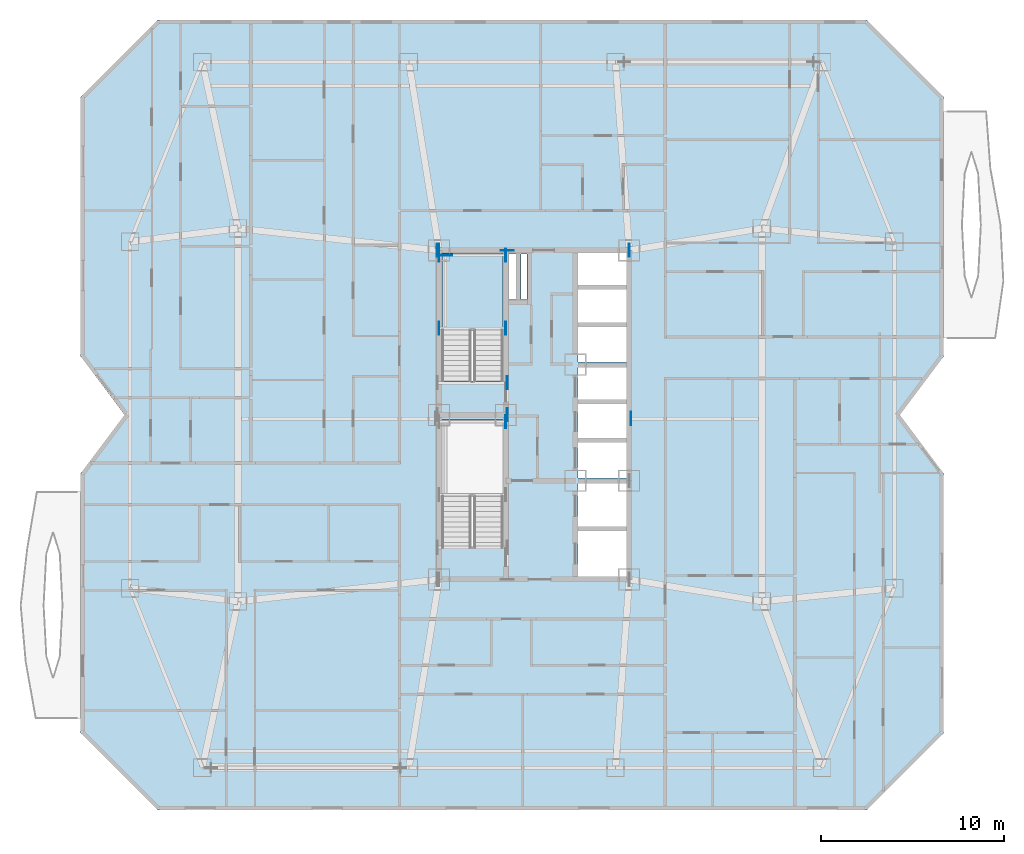
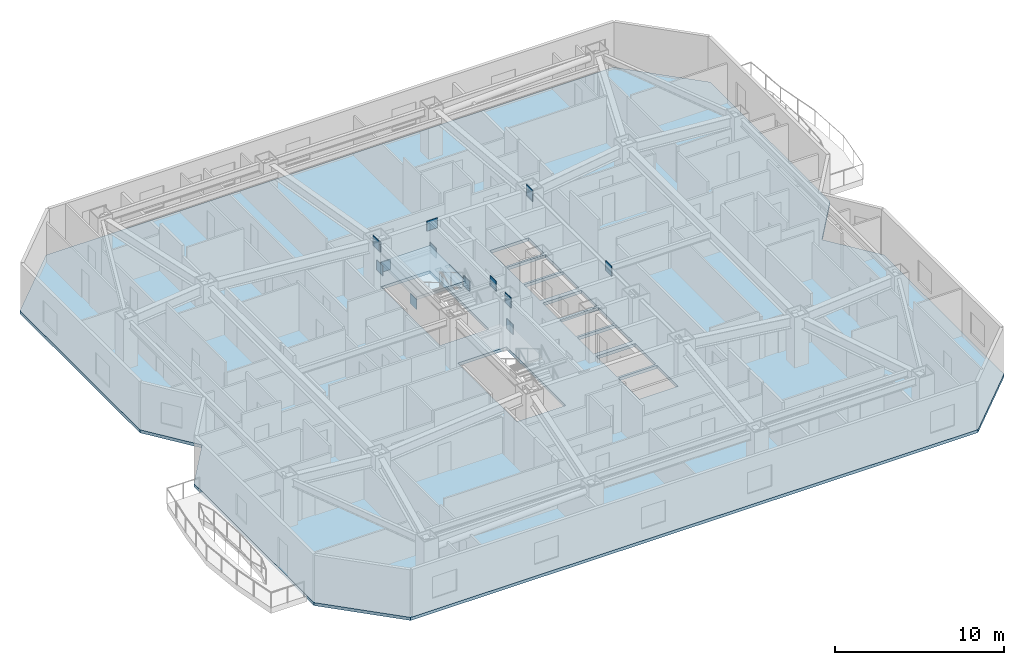
# One storey, part 3 of 15: 14 plates, 2 slabs, 1 element without a shape of its own.
"""IFC4 building model written with IfcOpenShell, lengths in metres."""

from ifc_helpers import new_model, si_unit, direction, frame, origin, origin_2d, place, context, subcontext, project, spatial, polyline, rectangle, outline, extrude, material, layer, layer_set, type_object, element, aggregate, save


model = new_model("IFC4")

# Units and contexts
model_context = context("Model", 3, precision=1e-05, world=origin(), true_north=direction((0.0, 1.0)))
body_context = subcontext(model_context, "Body", "Model", "MODEL_VIEW")
ifc_project = project(units=[si_unit("LENGTHUNIT", "METRE"), si_unit("AREAUNIT", "SQUARE_METRE"), si_unit("VOLUMEUNIT", "CUBIC_METRE"), si_unit("PLANEANGLEUNIT", "RADIAN"), si_unit("MASSUNIT", "GRAM", prefix="KILO")], contexts=[model_context])

# Site, building, storey
site_placement = place(None, origin())
site = spatial("IfcSite", under=ifc_project, at=site_placement, CompositionType="ELEMENT")
building_placement = place(site_placement, origin())
building = spatial("IfcBuilding", under=site, at=building_placement, Name="Khamvora Tower", CompositionType="ELEMENT")
storey_placement = place(building_placement, frame((0.0, 0.0, 112.85009765625)))
storey = spatial("IfcBuildingStorey", under=building, at=storey_placement, Name="L28", CompositionType="ELEMENT", Elevation=112.85009765625)

# Plates
ifc_material_1 = material(Name="Steel S460", Category="steel")
ifc_layer_1 = layer(ifc_material_1, 0.034912109375)
ifc_layer_set_1 = layer_set([ifc_layer_1], Name="Steel S460")
plate_type = type_object("IfcPlateType", Name="PL-EMB-35", PredefinedType="SHEET", material=ifc_layer_set_1)
for number, where, z_axis, x_axis, name in (
    (1, (32.64990234375, 27.6298828125, 1.1337890625), (0.0, 0.0, 1.0), (1.0, 0.0, 0.0), "L28 core shear wall cast-in embed plate 0827"),
    (2, (29.0, 32.735107421875, 1.1337890625), (0.0, 0.0, 1.0), (1.0, 0.0, 0.0), "L28 core shear wall cast-in embed plate 0828"),
    (3, (32.64990234375, 32.735107421875, 1.1337890625), (0.0, 0.0, 1.0), (1.0, 0.0, 0.0), "L28 core shear wall cast-in embed plate 0829"),
    (4, (29.0, 36.72998046875, 1.1337890625), (0.0, 0.0, 1.0), (1.0, 0.0, 0.0), "L28 core shear wall cast-in embed plate 0830"),
    (5, (32.64990234375, 36.72998046875, 1.1337890625), (0.0, 0.0, 1.0), (1.0, 0.0, 0.0), "L28 core shear wall cast-in embed plate 0831"),
):
    element("IfcPlate", number, at=place(storey_placement, frame(where, z_axis=z_axis, x_axis=x_axis)), inside=storey, type_object=plate_type, Name=name, PredefinedType="SHEET", context=body_context, shape_type="SweptSolid", body=[
        extrude(rectangle(XDim=0.034912109375, YDim=0.719970703125, at=origin_2d()), origin(), (0.0, 0.0, 1.0), 0.719970703125),
    ])
plate_1_placement = place(storey_placement, frame((29.35009765625, 36.72998046875, 1.1337890625), z_axis=(0.0, 0.0, 1.0), x_axis=(1.0, 0.0, 0.0)))
element("IfcPlate", 6, at=plate_1_placement, inside=storey, type_object=plate_type, Name="L28 core shear wall cast-in embed plate 0832", PredefinedType="SHEET", context=body_context, shape_type="SweptSolid", body=[
    extrude(rectangle(XDim=0.719970703125, YDim=0.034912109375, at=origin_2d()), origin(), (0.0, 0.0, 1.0), 0.719970703125),
])
for number, where, z_axis, x_axis, name in (
    (7, (29.0, 37.0, 2.68408203125), (0.0, 0.0, 1.0), (1.0, 0.0, 0.0), "L28 core shear wall cast-in embed plate 0835"),
    (8, (39.39990234375, 37.0, 2.68408203125), (0.0, 0.0, 1.0), (1.0, 0.0, 0.0), "L28 core shear wall cast-in embed plate 0836"),
    (9, (28.89990234375, 37.0, 2.8037109375), (0.0, 0.0, 1.0), (1.0, 0.0, 0.0), "L28 core shear wall cast-in embed plate 0839"),
    (10, (32.72998046875, 28.0, 2.8037109375), (0.0, 0.0, 1.0), (1.0, 0.0, 0.0), "L28 core shear wall cast-in embed plate 0841"),
):
    element("IfcPlate", number, at=place(storey_placement, frame(where, z_axis=z_axis, x_axis=x_axis)), inside=storey, type_object=plate_type, Name=name, PredefinedType="SHEET", context=body_context, shape_type="SweptSolid", body=[
        extrude(rectangle(XDim=0.034912109375, YDim=0.719970703125, at=origin_2d()), origin(), (0.0, 0.0, 1.0), 0.719970703125),
    ])
plate_2_placement = place(storey_placement, frame((32.72998046875, 37.0, 2.8037109375), z_axis=(0.0, 0.0, 1.0), x_axis=(1.0, 0.0, 0.0)))
element("IfcPlate", 11, at=plate_2_placement, inside=storey, type_object=plate_type, Name="L28 core shear wall cast-in embed plate 0842", PredefinedType="SHEET", context=body_context, shape_type="SweptSolid", body=[
    extrude(rectangle(XDim=0.719970703125, YDim=0.034912109375, at=origin_2d()), origin(), (0.0, 0.0, 1.0), 0.719970703125),
])
for number, where, z_axis, x_axis, name in (
    (12, (39.39990234375, 37.0, 2.8037109375), (0.0, 0.0, 1.0), (1.0, 0.0, 0.0), "L28 core shear wall cast-in embed plate 0845"),
    (13, (32.72998046875, 29.75, 2.94384765625), (0.0, 0.0, 1.0), (1.0, 0.0, 0.0), "L28 core shear wall cast-in embed plate 0849"),
    (14, (39.4990234375, 27.800048828125, 2.8388671875), (0.0, 0.0, 1.0), (1.0, 0.0, 0.0), "L28 core shear wall cast-in embed plate 0851"),
):
    element("IfcPlate", number, at=place(storey_placement, frame(where, z_axis=z_axis, x_axis=x_axis)), inside=storey, type_object=plate_type, Name=name, PredefinedType="SHEET", context=body_context, shape_type="SweptSolid", body=[
        extrude(rectangle(XDim=0.034912109375, YDim=0.719970703125, at=origin_2d()), origin(), (0.0, 0.0, 1.0), 0.719970703125),
    ])

# Stair, slab
ifc_material_2 = material(Name="Concrete C40/50", Category="concrete")
stair_type = type_object("IfcStairType", Name="STR-ST-02", PredefinedType="HALF_TURN_STAIR", material=ifc_material_2)
stair_placement = place(storey_placement, origin())
stair = element("IfcStair", 15, at=stair_placement, inside=storey, type_object=stair_type, Name="L28 North Tower Exit Stair ST-02", PredefinedType="HALF_TURN_STAIR")
ifc_layer_2 = layer(ifc_material_2, 0.199951171875)
ifc_layer_set_2 = layer_set([ifc_layer_2], Name="Concrete C40/50")
slab_type_1 = type_object("IfcSlabType", Name="SLB-LND-200", PredefinedType="LANDING", material=ifc_layer_set_2)
slab_1_placement = place(storey_placement, frame((0.0, 0.0, 1.625)))
slab_1 = element("IfcSlab", 16, at=slab_1_placement, type_object=slab_type_1, Name="ST-02 landing 1", PredefinedType="LANDING", context=body_context, shape_type="SweptSolid", body=[
    extrude(outline(polyline([(32.5, 32.614990234375), (32.5, 36.85009765625), (29.14990234375, 36.85009765625), (29.14990234375, 32.614990234375), (32.5, 32.614990234375)])), origin(), (0.0, 0.0, 1.0), 0.199951171875),
])
aggregate(stair, [slab_1])

# Slab
ifc_material_3 = material(Name="Concrete C35/45", Category="concrete")
ifc_layer_3 = layer(ifc_material_3, 0.219970703125)
ifc_layer_set_3 = layer_set([ifc_layer_3], Name="Concrete C35/45")
slab_type_2 = type_object("IfcSlabType", Name="SLB-TYP-220", PredefinedType="FLOOR", material=ifc_layer_set_3)
slab_2_placement = place(storey_placement, frame((0.0, 0.0, -0.22021484375)))
element("IfcSlab", 17, at=slab_2_placement, inside=storey, type_object=slab_type_2, Name="L28 structural floor slab", PredefinedType="FLOOR", context=body_context, shape_type="SweptSolid", body=[
    extrude(outline(polyline([(13.60009765625, 6.39990234375), (52.39990234375, 6.39990234375), (56.60009765625, 10.60009765625), (56.60009765625, 24.800048828125), (54.199951171875, 28.0), (56.60009765625, 31.199951171875), (56.60009765625, 45.39990234375), (52.39990234375, 49.60009765625), (13.60009765625, 49.60009765625), (9.39990234375, 45.39990234375), (9.39990234375, 31.199951171875), (11.800048828125, 28.0), (9.39990234375, 24.800048828125), (9.39990234375, 10.60009765625), (13.60009765625, 6.39990234375)]), holes=[polyline([(32.5, 20.760009765625), (32.5, 27.75), (29.14990234375, 27.75), (29.14990234375, 20.760009765625), (32.5, 20.760009765625)]), polyline([(32.5, 29.860107421875), (32.5, 36.85009765625), (29.14990234375, 36.85009765625), (29.14990234375, 29.860107421875), (32.5, 29.860107421875)]), polyline([(36.60009765625, 19.14990234375), (39.25, 19.14990234375), (39.25, 21.64990234375), (36.60009765625, 21.64990234375), (36.60009765625, 19.14990234375)]), polyline([(36.60009765625, 21.800048828125), (39.25, 21.800048828125), (39.25, 24.25), (36.60009765625, 24.25), (36.60009765625, 21.800048828125)]), polyline([(36.60009765625, 24.550048828125), (39.25, 24.550048828125), (39.25, 26.5), (36.60009765625, 26.5), (36.60009765625, 24.550048828125)]), polyline([(36.60009765625, 26.64990234375), (39.25, 26.64990234375), (39.25, 28.60009765625), (36.60009765625, 28.60009765625), (36.60009765625, 26.64990234375)]), polyline([(36.60009765625, 28.75), (39.25, 28.75), (39.25, 30.60009765625), (36.60009765625, 30.60009765625), (36.60009765625, 28.75)]), polyline([(36.60009765625, 30.89990234375), (39.25, 30.89990234375), (39.25, 32.800048828125), (36.60009765625, 32.800048828125), (36.60009765625, 30.89990234375)]), polyline([(36.60009765625, 32.949951171875), (39.25, 32.949951171875), (39.25, 34.85009765625), (36.60009765625, 34.85009765625), (36.60009765625, 32.949951171875)]), polyline([(36.60009765625, 35.0), (39.25, 35.0), (39.25, 36.85009765625), (36.60009765625, 36.85009765625), (36.60009765625, 35.0)]), polyline([(32.800048828125, 34.300048828125), (33.199951171875, 34.300048828125), (33.199951171875, 36.800048828125), (32.800048828125, 36.800048828125), (32.800048828125, 34.300048828125)]), polyline([(33.47998046875, 34.300048828125), (33.820068359375, 34.300048828125), (33.820068359375, 36.800048828125), (33.47998046875, 36.800048828125), (33.47998046875, 34.300048828125)])]), origin(), (0.0, 0.0, 1.0), 0.22021484375),
])

save(model, "model.ifc")
